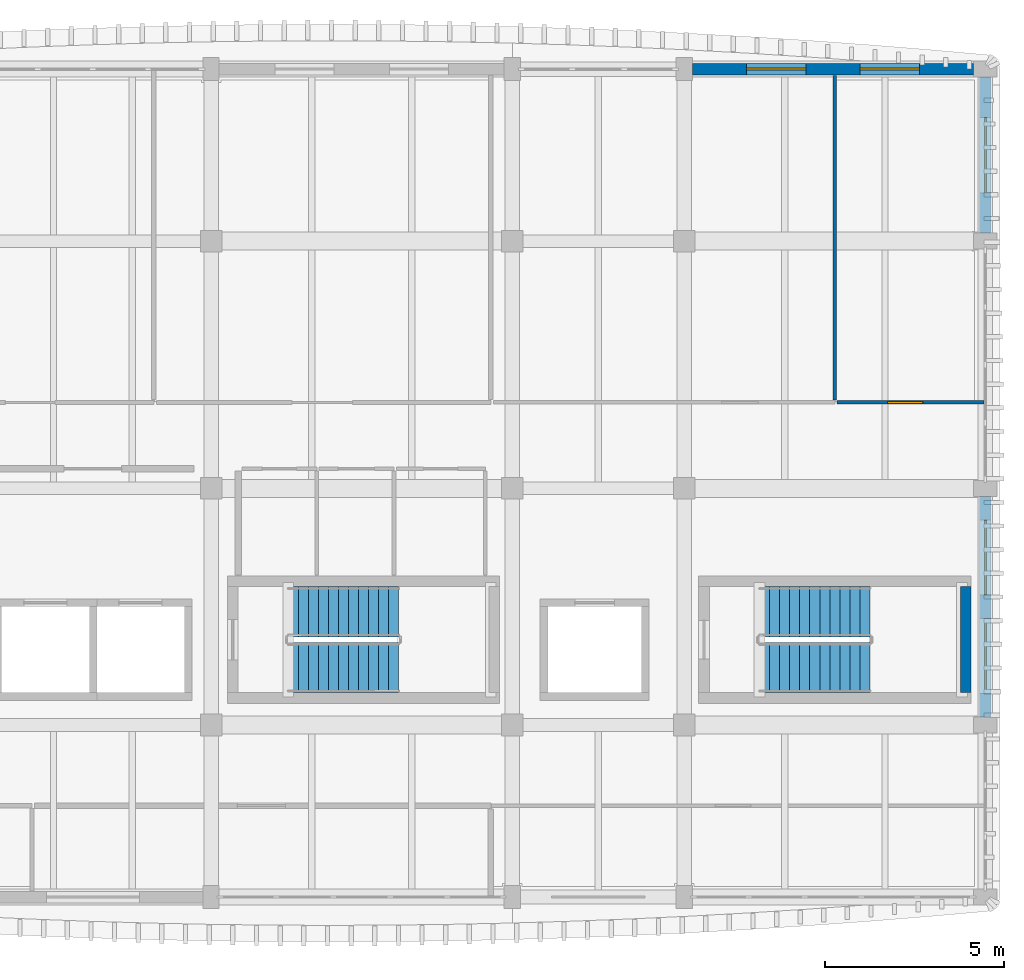
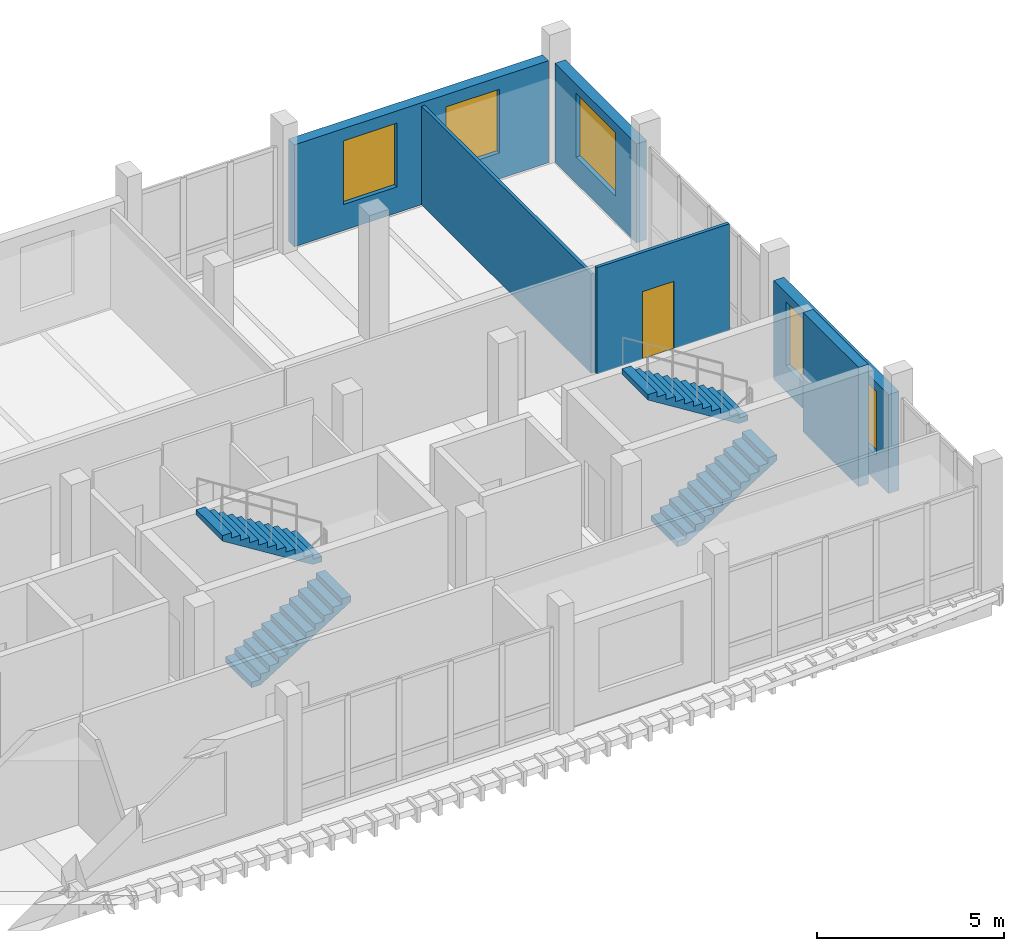
# One storey, part 9 of 16: 6 walls, 5 windows, 4 stair flights, 1 door, 6 openings, 2 elements without a shape of their own.
"""IFC4 building model written with IfcOpenShell, lengths in metres."""

from ifc_helpers import new_model, si_unit, direction, frame, frame_2d, origin, place, context, subcontext, project, spatial, polyline, rectangle, outline, extrude, material, layer, layer_set, type_object, element, fill, aggregate, save


model = new_model("IFC4")

# Units and contexts
model_context = context("Model", 3, precision=1e-05, world=origin(), true_north=direction((0.0, 1.0)))
body_context = subcontext(model_context, "Body", "Model", "MODEL_VIEW")
ifc_project = project(units=[si_unit("LENGTHUNIT", "METRE"), si_unit("AREAUNIT", "SQUARE_METRE"), si_unit("VOLUMEUNIT", "CUBIC_METRE"), si_unit("PLANEANGLEUNIT", "RADIAN"), si_unit("MASSUNIT", "GRAM", prefix="KILO")], contexts=[model_context])

# Site, building, storey
site_placement = place(None, origin())
site = spatial("IfcSite", under=ifc_project, at=site_placement, CompositionType="ELEMENT")
building_placement = place(site_placement, origin())
building = spatial("IfcBuilding", under=site, at=building_placement, Name="Dornvale Research Institute", CompositionType="ELEMENT")
storey_placement = place(building_placement, frame((0.0, 0.0, 38.39990234375)))
storey = spatial("IfcBuildingStorey", under=building, at=storey_placement, Name="L08", CompositionType="ELEMENT", Elevation=38.39990234375)

# Wall
ifc_material_1 = material(Name="Acoustic Insulated Double-Stud Laboratory Partition")
ifc_layer_1 = layer(ifc_material_1, 0.10009765625)
ifc_layer_set_1 = layer_set([ifc_layer_1], Name="Acoustic Insulated Double-Stud Laboratory Partition")
wall_type_1 = type_object("IfcWallType", Name="Partition_Office_100", PredefinedType="PARTITIONING", material=ifc_layer_set_1)
wall_1_placement = place(storey_placement, frame((37.199951171875, 112.864990234375, 0.0), z_axis=(0.0, 0.0, 1.0), x_axis=(0.0, 1.0, 0.0)))
element("IfcWall", 1, at=wall_1_placement, inside=storey, type_object=wall_type_1, Name="L08 V5 interior partition #574", PredefinedType="PARTITIONING", context=body_context, shape_type="SweptSolid", body=[
    extrude(rectangle(XDim=9.06005859375, YDim=0.10009765625, at=frame_2d((4.530029296875, 0.0))), origin(), (0.0, 0.0, 1.0), 3.22998046875),
])

# Wall, opening, door
wall_2_placement = place(storey_placement, frame((37.264892578125, 112.800048828125, 0.0), z_axis=(0.0, 0.0, 1.0), x_axis=(1.0, 0.0, 0.0)))
wall_2 = element("IfcWall", 2, at=wall_2_placement, inside=storey, type_object=wall_type_1, Name="L08 V5 interior partition #575", PredefinedType="PARTITIONING", context=body_context, shape_type="SweptSolid", body=[
    extrude(rectangle(XDim=4.09521484375, YDim=0.10009765625, at=frame_2d((2.047607421875, 0.0))), origin(), (0.0, 0.0, 1.0), 3.47998046875),
])
opening_1_placement = place(wall_2_placement, frame((1.405029296875, 0.0, 0.0)))
opening_1 = element("IfcOpeningElement", 3, at=opening_1_placement, cuts=wall_2, Name="Opening ID-21", PredefinedType="OPENING", context=body_context, shape_type="SweptSolid", body=[
    extrude(rectangle(XDim=0.97998046875, YDim=2.199951171875, at=frame_2d((0.489990234375, 1.10009765625))), frame((0.0, 0.06494140625, 0.0), z_axis=(0.0, -1.0, 0.0), x_axis=(1.0, 0.0, 0.0)), (0.0, 0.0, 1.0), 0.130126953125),
])
ifc_material_2 = material(Name="Phenolic-Faced Solid-Core Laboratory Door Assembly")
door_type = type_object("IfcDoorType", Name="Door_Office_980x2200", OperationType="SINGLE_SWING_LEFT", PredefinedType="DOOR", material=ifc_material_2)
door_placement = place(opening_1_placement, origin())
door = element("IfcDoor", 4, at=door_placement, inside=storey, type_object=door_type, Name="L08 Principal Investigator Office L08 door #241", OperationType="SINGLE_SWING_RIGHT", OverallHeight=2.199951171875, OverallWidth=0.97998046875, PredefinedType="DOOR", context=body_context, shape_type="SweptSolid", body=[
    extrude(rectangle(XDim=0.97998046875, YDim=2.199951171875, at=frame_2d((0.489990234375, 1.10009765625))), frame((0.0, 0.02490234375, 0.0), z_axis=(0.0, -1.0, 0.0), x_axis=(1.0, 0.0, 0.0)), (0.0, 0.0, 1.0), 0.050048828125),
])
fill(opening_1, door)

# Wall
ifc_material_3 = material(Name="Concrete f'c 50 MPa (C40/50)", Category="concrete")
ifc_layer_2 = layer(ifc_material_3, 0.300048828125)
ifc_layer_set_2 = layer_set([ifc_layer_2], Name="Concrete f'c 50 MPa (C40/50)")
wall_type_2 = type_object("IfcWallType", Name="ShearWall_Core_300", PredefinedType="SHEAR", material=ifc_layer_set_2)
wall_3_placement = place(storey_placement, frame((40.85009765625, 104.699951171875, 0.0), z_axis=(0.0, 0.0, 1.0), x_axis=(0.0, 1.0, 0.0)))
element("IfcWall", 5, at=wall_3_placement, inside=storey, type_object=wall_type_2, Name="L08 ST-2 shaft shear wall east", PredefinedType="SHEAR", context=body_context, shape_type="SweptSolid", body=[
    extrude(rectangle(XDim=2.9599609375, YDim=0.300048828125, at=frame_2d((1.47998046875, 0.0))), origin(), (0.0, 0.0, 1.0), 3.900146484375),
])

# Wall, openings, windows
ifc_material_4 = material(Name="Catalan Pressed Brick and Insulated Cavity Assembly", Category="masonry")
ifc_layer_3 = layer(ifc_material_4, 0.320068359375)
ifc_layer_set_3 = layer_set([ifc_layer_3], Name="Catalan Pressed Brick and Insulated Cavity Assembly")
wall_type_3 = type_object("IfcWallType", Name="StandardWall_BrickCavity_320", PredefinedType="STANDARD", material=ifc_layer_set_3)
wall_4_placement = place(storey_placement, frame((33.22509765625, 122.10009765625, 0.0), z_axis=(0.0, 0.0, 1.0), x_axis=(1.0, 0.0, 0.0)))
wall_4 = element("IfcWall", 6, at=wall_4_placement, inside=storey, type_object=wall_type_3, Name="L08 V5 north exterior wall #398", PredefinedType="STANDARD", context=body_context, shape_type="SweptSolid", body=[
    extrude(rectangle(XDim=7.849853515625, YDim=0.320068359375, at=frame_2d((3.9248046875, 0.0))), origin(), (0.0, 0.0, 1.0), 3.330078125),
])
opening_2_placement = place(wall_4_placement, frame((1.5166015625, 0.0, 0.85009765625)))
opening_2 = element("IfcOpeningElement", 7, at=opening_2_placement, cuts=wall_4, Name="Opening W-40", PredefinedType="OPENING", context=body_context, shape_type="SweptSolid", body=[
    extrude(rectangle(XDim=1.64990234375, YDim=2.080078125, at=frame_2d((0.824951171875, 1.0400390625))), frame((0.0, 0.175048828125, 0.0), z_axis=(0.0, -1.0, 0.0), x_axis=(1.0, 0.0, 0.0)), (0.0, 0.0, 1.0), 0.35009765625),
])
opening_3_placement = place(wall_4_placement, frame((4.683349609375, 0.0, 0.85009765625)))
opening_3 = element("IfcOpeningElement", 8, at=opening_3_placement, cuts=wall_4, Name="Opening W-40", PredefinedType="OPENING", context=body_context, shape_type="SweptSolid", body=[
    extrude(rectangle(XDim=1.64990234375, YDim=2.080078125, at=frame_2d((0.824951171875, 1.0400390625))), frame((0.0, 0.175048828125, 0.0), z_axis=(0.0, -1.0, 0.0), x_axis=(1.0, 0.0, 0.0)), (0.0, 0.0, 1.0), 0.35009765625),
])
ifc_material_5 = material(Name="Low-E Argon Double Insulating Glazing Unit", Category="glass")
window_type_1 = type_object("IfcWindowType", Name="Window_Alu_1650x2080_40", PartitioningType="SINGLE_PANEL", PredefinedType="WINDOW", material=ifc_material_5)
window_1_placement = place(opening_2_placement, origin())
window_1 = element("IfcWindow", 9, at=window_1_placement, inside=storey, type_object=window_type_1, Name="L08 V5 facade window W-40 #531", OverallHeight=2.080078125, OverallWidth=1.64990234375, PartitioningType="SINGLE_PANEL", PredefinedType="WINDOW", context=body_context, shape_type="SweptSolid", body=[
    extrude(rectangle(XDim=1.64990234375, YDim=2.080078125, at=frame_2d((0.824951171875, 1.0400390625))), frame((0.0, 0.030029296875, 0.0), z_axis=(0.0, -1.0, 0.0), x_axis=(1.0, 0.0, 0.0)), (0.0, 0.0, 1.0), 0.06005859375),
])
fill(opening_2, window_1)
window_2_placement = place(opening_3_placement, origin())
window_2 = element("IfcWindow", 10, at=window_2_placement, inside=storey, type_object=window_type_1, Name="L08 V5 facade window W-40 #532", OverallHeight=2.080078125, OverallWidth=1.64990234375, PartitioningType="SINGLE_PANEL", PredefinedType="WINDOW", context=body_context, shape_type="SweptSolid", body=[
    extrude(rectangle(XDim=1.64990234375, YDim=2.080078125, at=frame_2d((0.824951171875, 1.0400390625))), frame((0.0, 0.030029296875, 0.0), z_axis=(0.0, -1.0, 0.0), x_axis=(1.0, 0.0, 0.0)), (0.0, 0.0, 1.0), 0.06005859375),
])
fill(opening_3, window_2)

# Wall, opening, window
wall_5_placement = place(storey_placement, frame((41.39990234375, 121.875, 0.0), z_axis=(0.0, 0.0, 1.0), x_axis=(0.0, -1.0, 0.0)))
wall_5 = element("IfcWall", 11, at=wall_5_placement, inside=storey, type_object=wall_type_3, Name="L08 V5 east exterior wall #399", PredefinedType="STANDARD", context=body_context, shape_type="SweptSolid", body=[
    extrude(rectangle(XDim=4.35009765625, YDim=0.320068359375, at=frame_2d((2.175048828125, 0.0))), origin(), (0.0, 0.0, 1.0), 3.22998046875),
])
opening_4_placement = place(wall_5_placement, frame((1.125, 0.0, 0.85009765625)))
opening_4 = element("IfcOpeningElement", 12, at=opening_4_placement, cuts=wall_5, Name="Opening W-43", PredefinedType="OPENING", context=body_context, shape_type="SweptSolid", body=[
    extrude(rectangle(XDim=2.10009765625, YDim=2.080078125, at=frame_2d((1.050048828125, 1.0400390625))), frame((0.0, 0.175048828125, 0.0), z_axis=(0.0, -1.0, 0.0), x_axis=(1.0, 0.0, 0.0)), (0.0, 0.0, 1.0), 0.35009765625),
])
ifc_material_6 = material(Name="Low-E Argon Double Insulating Glazing Unit", Category="glass")
window_type_2 = type_object("IfcWindowType", Name="Window_Alu_2100x2080_43", PartitioningType="DOUBLE_PANEL_VERTICAL", PredefinedType="WINDOW", material=ifc_material_6)
window_3_placement = place(opening_4_placement, origin())
window_3 = element("IfcWindow", 13, at=window_3_placement, inside=storey, type_object=window_type_2, Name="L08 V5 facade window W-43 #533", OverallHeight=2.080078125, OverallWidth=2.10009765625, PartitioningType="DOUBLE_PANEL_VERTICAL", PredefinedType="WINDOW", context=body_context, shape_type="SweptSolid", body=[
    extrude(rectangle(XDim=2.10009765625, YDim=2.080078125, at=frame_2d((1.050048828125, 1.0400390625))), frame((0.0, 0.030029296875, 0.0), z_axis=(0.0, -1.0, 0.0), x_axis=(1.0, 0.0, 0.0)), (0.0, 0.0, 1.0), 0.06005859375),
])
fill(opening_4, window_3)

# Wall, openings, windows
wall_6_placement = place(storey_placement, frame((41.39990234375, 110.175048828125, 0.0), z_axis=(0.0, 0.0, 1.0), x_axis=(0.0, -1.0, 0.0)))
wall_6 = element("IfcWall", 14, at=wall_6_placement, inside=storey, type_object=wall_type_3, Name="L08 V5 east exterior wall #400", PredefinedType="STANDARD", context=body_context, shape_type="SweptSolid", body=[
    extrude(rectangle(XDim=6.150146484375, YDim=0.320068359375, at=frame_2d((3.0751953125, 0.0))), origin(), (0.0, 0.0, 1.0), 3.22998046875),
])
opening_5_placement = place(wall_6_placement, frame((0.64990234375, 0.0, 0.85009765625)))
opening_5 = element("IfcOpeningElement", 15, at=opening_5_placement, cuts=wall_6, Name="Opening W-43", PredefinedType="OPENING", context=body_context, shape_type="SweptSolid", body=[
    extrude(rectangle(XDim=2.10009765625, YDim=2.080078125, at=frame_2d((1.050048828125, 1.0400390625))), frame((0.0, 0.175048828125, 0.0), z_axis=(0.0, -1.0, 0.0), x_axis=(1.0, 0.0, 0.0)), (0.0, 0.0, 1.0), 0.35009765625),
])
opening_6_placement = place(wall_6_placement, frame((3.39990234375, 0.0, 0.85009765625)))
opening_6 = element("IfcOpeningElement", 16, at=opening_6_placement, cuts=wall_6, Name="Opening W-43", PredefinedType="OPENING", context=body_context, shape_type="SweptSolid", body=[
    extrude(rectangle(XDim=2.10009765625, YDim=2.080078125, at=frame_2d((1.050048828125, 1.0400390625))), frame((0.0, 0.175048828125, 0.0), z_axis=(0.0, -1.0, 0.0), x_axis=(1.0, 0.0, 0.0)), (0.0, 0.0, 1.0), 0.35009765625),
])
window_4_placement = place(opening_5_placement, origin())
window_4 = element("IfcWindow", 17, at=window_4_placement, inside=storey, type_object=window_type_2, Name="L08 V5 facade window W-43 #534", OverallHeight=2.080078125, OverallWidth=2.10009765625, PartitioningType="DOUBLE_PANEL_VERTICAL", PredefinedType="WINDOW", context=body_context, shape_type="SweptSolid", body=[
    extrude(rectangle(XDim=2.10009765625, YDim=2.080078125, at=frame_2d((1.050048828125, 1.0400390625))), frame((0.0, 0.030029296875, 0.0), z_axis=(0.0, -1.0, 0.0), x_axis=(1.0, 0.0, 0.0)), (0.0, 0.0, 1.0), 0.06005859375),
])
fill(opening_5, window_4)
window_5_placement = place(opening_6_placement, origin())
window_5 = element("IfcWindow", 18, at=window_5_placement, inside=storey, type_object=window_type_2, Name="L08 V5 facade window W-43 #535", OverallHeight=2.080078125, OverallWidth=2.10009765625, PartitioningType="DOUBLE_PANEL_VERTICAL", PredefinedType="WINDOW", context=body_context, shape_type="SweptSolid", body=[
    extrude(rectangle(XDim=2.10009765625, YDim=2.080078125, at=frame_2d((1.050048828125, 1.0400390625))), frame((0.0, 0.030029296875, 0.0), z_axis=(0.0, -1.0, 0.0), x_axis=(1.0, 0.0, 0.0)), (0.0, 0.0, 1.0), 0.06005859375),
])
fill(opening_6, window_5)

# Stair, stair flights
ifc_material_7 = material(Name="Concrete f'c 45 MPa (C35/45)", Category="concrete")
stair_type = type_object("IfcStairType", Name="HalfTurnStair_RC", PredefinedType="HALF_TURN_STAIR", material=ifc_material_7)
stair_1_placement = place(storey_placement, origin())
stair_1 = element("IfcStair", 19, at=stair_1_placement, inside=storey, type_object=stair_type, Name="L08 Exit stair ST-1", PredefinedType="HALF_TURN_STAIR")
ifc_material_8 = material(Name="Concrete f'c 45 MPa (C35/45)", Category="concrete")
stair_flight_type = type_object("IfcStairFlightType", Name="StraightFlight_RC150", PredefinedType="STRAIGHT", material=ifc_material_8)
stair_flight_1_placement = place(storey_placement, frame((21.949951171875, 105.39990234375, 0.0), z_axis=(0.0, 0.0, 1.0), x_axis=(1.0, 0.0, 0.0)))
stair_flight_1 = element("IfcStairFlight", 20, at=stair_flight_1_placement, type_object=stair_flight_type, Name="ST-1 flight 1", NumberOfRisers=12, NumberOfTreads=11, PredefinedType="STRAIGHT", RiserHeight=0.175, TreadLength=0.28, context=body_context, shape_type="SweptSolid", body=[
    extrude(outline(polyline([(0.0, 0.0), (0.0, 0.175048828125), (0.280029296875, 0.175048828125), (0.280029296875, 0.35009765625), (0.56005859375, 0.35009765625), (0.56005859375, 0.52490234375), (0.840087890625, 0.52490234375), (0.840087890625, 0.699951171875), (1.1201171875, 0.699951171875), (1.1201171875, 0.875), (1.39990234375, 0.875), (1.39990234375, 1.050048828125), (1.679931640625, 1.050048828125), (1.679931640625, 1.22509765625), (1.9599609375, 1.22509765625), (1.9599609375, 1.39990234375), (2.239990234375, 1.39990234375), (2.239990234375, 1.574951171875), (2.52001953125, 1.574951171875), (2.52001953125, 1.75), (2.800048828125, 1.75), (2.800048828125, 1.925048828125), (3.080078125, 1.925048828125), (3.080078125, 2.10009765625), (3.080078125, 1.748291015625), (0.28271484375, 0.0), (0.0, 0.0)])), frame((0.0, 0.699951171875, 0.0), z_axis=(0.0, -1.0, 0.0), x_axis=(1.0, 0.0, 0.0)), (0.0, 0.0, 1.0), 1.39990234375),
])
stair_flight_2_placement = place(storey_placement, frame((25.030029296875, 106.9599609375, 2.10009765625), z_axis=(0.0, 0.0, 1.0), x_axis=(-1.0, 0.0, 0.0)))
stair_flight_2 = element("IfcStairFlight", 21, at=stair_flight_2_placement, type_object=stair_flight_type, Name="ST-1 flight 2", NumberOfRisers=12, NumberOfTreads=11, PredefinedType="STRAIGHT", RiserHeight=0.175, TreadLength=0.28, context=body_context, shape_type="SweptSolid", body=[
    extrude(outline(polyline([(0.0, 0.0), (0.0, 0.175048828125), (0.280029296875, 0.175048828125), (0.280029296875, 0.35009765625), (0.56005859375, 0.35009765625), (0.56005859375, 0.52490234375), (0.840087890625, 0.52490234375), (0.840087890625, 0.699951171875), (1.1201171875, 0.699951171875), (1.1201171875, 0.875), (1.39990234375, 0.875), (1.39990234375, 1.050048828125), (1.679931640625, 1.050048828125), (1.679931640625, 1.22509765625), (1.9599609375, 1.22509765625), (1.9599609375, 1.39990234375), (2.239990234375, 1.39990234375), (2.239990234375, 1.574951171875), (2.52001953125, 1.574951171875), (2.52001953125, 1.75), (2.800048828125, 1.75), (2.800048828125, 1.925048828125), (3.080078125, 1.925048828125), (3.080078125, 2.10009765625), (3.080078125, 1.748291015625), (0.28271484375, 0.0), (0.0, 0.0)])), frame((0.0, 0.699951171875, 0.0), z_axis=(0.0, -1.0, 0.0), x_axis=(1.0, 0.0, 0.0)), (0.0, 0.0, 1.0), 1.39990234375),
])
aggregate(stair_1, [stair_flight_1, stair_flight_2])

stair_2_placement = place(storey_placement, origin())
stair_2 = element("IfcStair", 22, at=stair_2_placement, inside=storey, type_object=stair_type, Name="L08 Exit stair ST-2", PredefinedType="HALF_TURN_STAIR")
stair_flight_3_placement = place(storey_placement, frame((35.10009765625, 105.39990234375, 0.0), z_axis=(0.0, 0.0, 1.0), x_axis=(1.0, 0.0, 0.0)))
stair_flight_3 = element("IfcStairFlight", 23, at=stair_flight_3_placement, type_object=stair_flight_type, Name="ST-2 flight 1", NumberOfRisers=12, NumberOfTreads=11, PredefinedType="STRAIGHT", RiserHeight=0.175, TreadLength=0.28, context=body_context, shape_type="SweptSolid", body=[
    extrude(outline(polyline([(0.0, 0.0), (0.0, 0.175048828125), (0.280029296875, 0.175048828125), (0.280029296875, 0.35009765625), (0.56005859375, 0.35009765625), (0.56005859375, 0.52490234375), (0.840087890625, 0.52490234375), (0.840087890625, 0.699951171875), (1.1201171875, 0.699951171875), (1.1201171875, 0.875), (1.39990234375, 0.875), (1.39990234375, 1.050048828125), (1.679931640625, 1.050048828125), (1.679931640625, 1.22509765625), (1.9599609375, 1.22509765625), (1.9599609375, 1.39990234375), (2.239990234375, 1.39990234375), (2.239990234375, 1.574951171875), (2.52001953125, 1.574951171875), (2.52001953125, 1.75), (2.800048828125, 1.75), (2.800048828125, 1.925048828125), (3.080078125, 1.925048828125), (3.080078125, 2.10009765625), (3.080078125, 1.748291015625), (0.28271484375, 0.0), (0.0, 0.0)])), frame((0.0, 0.699951171875, 0.0), z_axis=(0.0, -1.0, 0.0), x_axis=(1.0, 0.0, 0.0)), (0.0, 0.0, 1.0), 1.39990234375),
])
stair_flight_4_placement = place(storey_placement, frame((38.179931640625, 106.9599609375, 2.10009765625), z_axis=(0.0, 0.0, 1.0), x_axis=(-1.0, 0.0, 0.0)))
stair_flight_4 = element("IfcStairFlight", 24, at=stair_flight_4_placement, type_object=stair_flight_type, Name="ST-2 flight 2", NumberOfRisers=12, NumberOfTreads=11, PredefinedType="STRAIGHT", RiserHeight=0.175, TreadLength=0.28, context=body_context, shape_type="SweptSolid", body=[
    extrude(outline(polyline([(0.0, 0.0), (0.0, 0.175048828125), (0.280029296875, 0.175048828125), (0.280029296875, 0.35009765625), (0.56005859375, 0.35009765625), (0.56005859375, 0.52490234375), (0.840087890625, 0.52490234375), (0.840087890625, 0.699951171875), (1.1201171875, 0.699951171875), (1.1201171875, 0.875), (1.39990234375, 0.875), (1.39990234375, 1.050048828125), (1.679931640625, 1.050048828125), (1.679931640625, 1.22509765625), (1.9599609375, 1.22509765625), (1.9599609375, 1.39990234375), (2.239990234375, 1.39990234375), (2.239990234375, 1.574951171875), (2.52001953125, 1.574951171875), (2.52001953125, 1.75), (2.800048828125, 1.75), (2.800048828125, 1.925048828125), (3.080078125, 1.925048828125), (3.080078125, 2.10009765625), (3.080078125, 1.748291015625), (0.28271484375, 0.0), (0.0, 0.0)])), frame((0.0, 0.699951171875, 0.0), z_axis=(0.0, -1.0, 0.0), x_axis=(1.0, 0.0, 0.0)), (0.0, 0.0, 1.0), 1.39990234375),
])
aggregate(stair_2, [stair_flight_3, stair_flight_4])

save(model, "model.ifc")
